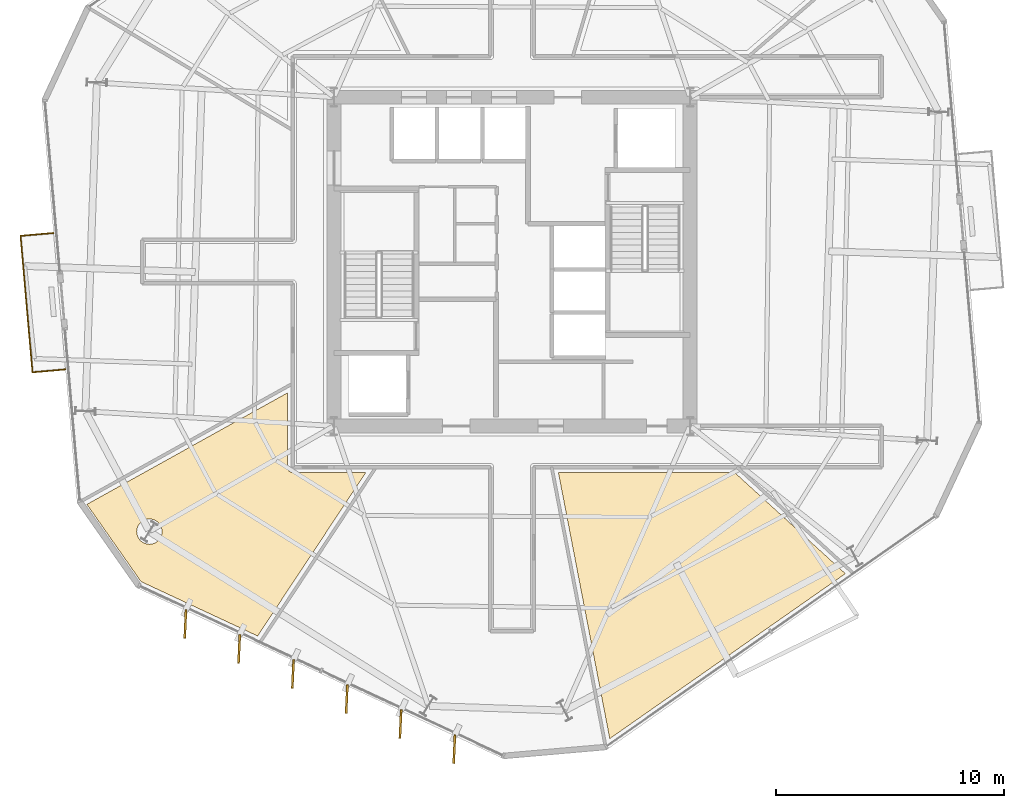
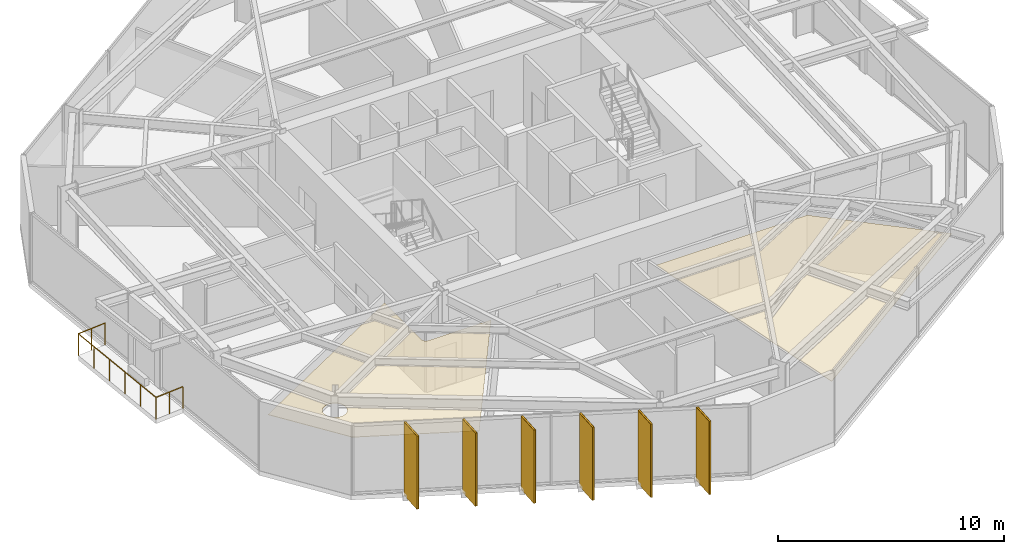
# One storey, part 9 of 13: 8 coverings, 6 shading devices, 1 railing.
"""IFC4 building model written with IfcOpenShell, lengths in metres."""

from ifc_helpers import new_model, si_unit, direction, frame, origin, origin_2d, place, context, subcontext, project, spatial, polyline, rectangle, circle, outline, extrude, material, layer, layer_set, type_object, element, save


model = new_model("IFC4")

# Units and contexts
model_context = context("Model", 3, precision=1e-05, world=origin(), true_north=direction((0.0, 1.0)))
body_context = subcontext(model_context, "Body", "Model", "MODEL_VIEW")
ifc_project = project(units=[si_unit("LENGTHUNIT", "METRE"), si_unit("AREAUNIT", "SQUARE_METRE"), si_unit("VOLUMEUNIT", "CUBIC_METRE"), si_unit("PLANEANGLEUNIT", "RADIAN"), si_unit("MASSUNIT", "GRAM", prefix="KILO")], contexts=[model_context])

# Site, building, storey
site_placement = place(None, origin())
site = spatial("IfcSite", under=ifc_project, at=site_placement, CompositionType="ELEMENT")
building_placement = place(site_placement, origin())
building = spatial("IfcBuilding", under=site, at=building_placement, Name="Kranzbogen Civic Tower", CompositionType="ELEMENT")
storey_placement = place(building_placement, frame((0.0, 0.0, 162.39990234375)))
storey = spatial("IfcBuildingStorey", under=building, at=storey_placement, Name="L39", CompositionType="ELEMENT", Elevation=162.39990234375)

# Coverings
ifc_material_1 = material(Name="Pale Anodised Aluminium", Category="aluminium")
ifc_layer_1 = layer(ifc_material_1, 0.02490234375, Name="Pale Anodised Aluminium")
ifc_layer_set_1 = layer_set([ifc_layer_1], Name="Pale Anodised Aluminium")
covering_type_1 = type_object("IfcCoveringType", Name="Anodised Aluminium Vertical Fin Cladding 25 mm", PredefinedType="CLADDING", material=ifc_layer_set_1)
for number, where, z_axis, x_axis, name in (
    (1, (10.69091796875, 9.132080078125, -0.139892578125), (0.0, 0.0, 1.0), (-0.046130129003, -0.998935438954, 0.0), "L39 vertical fin pale-metal cladding F4-1"),
    (2, (13.048095703125, 8.033935546875, -0.139892578125), (0.0, 0.0, 1.0), (-0.046130129003, -0.998935438954, 0.0), "L39 vertical fin pale-metal cladding F4-2"),
    (3, (15.404052734375, 6.93505859375, -0.139892578125), (0.0, 0.0, 1.0), (-0.046130129003, -0.998935438954, 0.0), "L39 vertical fin pale-metal cladding F4-3"),
    (4, (17.760986328125, 5.8359375, -0.139892578125), (0.0, 0.0, 1.0), (-0.046130129003, -0.998935438954, 0.0), "L39 vertical fin pale-metal cladding F4-4"),
    (5, (20.116943359375, 4.737060546875, -0.139892578125), (0.0, 0.0, 1.0), (-0.046130129003, -0.998935438954, 0.0), "L39 vertical fin pale-metal cladding F4-5"),
    (6, (22.472900390625, 3.637939453125, -0.139892578125), (0.0, 0.0, 1.0), (-0.046130129003, -0.998935438954, 0.0), "L39 vertical fin pale-metal cladding F4-6"),
):
    element("IfcCovering", number, at=place(storey_placement, frame(where, z_axis=z_axis, x_axis=x_axis)), inside=storey, type_object=covering_type_1, Name=name, PredefinedType="CLADDING", context=body_context, shape_type="SweptSolid", body=[
        extrude(rectangle(XDim=1.25, YDim=0.10009765625, at=origin_2d()), origin(), (0.0, 0.0, 1.0), 3.9599609375),
    ])

# Shading devices
ifc_material_2 = material(Name="Anodised Bronze Aluminium", Category="aluminium")
shading_device_type = type_object("IfcShadingDeviceType", Name="Anodised Bronze Vertical Facade Fin 1250x80", PredefinedType="USERDEFINED", material=ifc_material_2)
for number, where, z_axis, x_axis, name in (
    (7, (10.69091796875, 9.132080078125, -0.139892578125), (0.0, 0.0, 1.0), (-0.046130129003, -0.998935438954, 0.0), "L39 vertical exterior shading fin F4-1"),
    (8, (13.048095703125, 8.033935546875, -0.139892578125), (0.0, 0.0, 1.0), (-0.046130129003, -0.998935438954, 0.0), "L39 vertical exterior shading fin F4-2"),
    (9, (15.404052734375, 6.93505859375, -0.139892578125), (0.0, 0.0, 1.0), (-0.046130129003, -0.998935438954, 0.0), "L39 vertical exterior shading fin F4-3"),
    (10, (17.760986328125, 5.8359375, -0.139892578125), (0.0, 0.0, 1.0), (-0.046130129003, -0.998935438954, 0.0), "L39 vertical exterior shading fin F4-4"),
    (11, (20.116943359375, 4.737060546875, -0.139892578125), (0.0, 0.0, 1.0), (-0.046130129003, -0.998935438954, 0.0), "L39 vertical exterior shading fin F4-5"),
    (12, (22.472900390625, 3.637939453125, -0.139892578125), (0.0, 0.0, 1.0), (-0.046130129003, -0.998935438954, 0.0), "L39 vertical exterior shading fin F4-6"),
):
    element("IfcShadingDevice", number, at=place(storey_placement, frame(where, z_axis=z_axis, x_axis=x_axis)), inside=storey, type_object=shading_device_type, Name=name, ObjectType="FIN", PredefinedType="USERDEFINED", context=body_context, shape_type="SweptSolid", body=[
        extrude(rectangle(XDim=1.25, YDim=0.080078125, at=origin_2d()), origin(), (0.0, 0.0, 1.0), 3.9599609375),
    ])

# Railing
railing_type = type_object("IfcRailingType", Name="Cantilevered Balcony Glass and Bronze Balustrade 1200", PredefinedType="BALUSTRADE", material=ifc_material_2)
railing_placement = place(storey_placement, frame((4.9140625, 26.25390625, 0.0)))
element("IfcRailing", 13, at=railing_placement, inside=storey, type_object=railing_type, Name="L39 exterior terrace balustrade L39-TB2", PredefinedType="BALUSTRADE", context=body_context, shape_type="SweptSolid", body=[
    extrude(circle(Radius=0.02392578125, at=origin_2d()), frame((0.0, 0.0, 1.17578125), z_axis=(-0.996216534761, -0.08690578731, 0.0), x_axis=(0.08690578731, -0.996216534761, 0.0)), (0.0, 0.0, 1.0), 1.449462890625),
    extrude(circle(Radius=0.02392578125, at=origin_2d()), frame((-1.444091796875, -0.1259765625, 1.17578125), z_axis=(0.087159883478, -0.996194335816, 0.0), x_axis=(0.996194335816, 0.087159883478, 0.0)), (0.0, 0.0, 1.0), 6.0),
    extrude(circle(Radius=0.02392578125, at=origin_2d()), frame((-0.921142578125, -6.10302734375, 1.17578125), z_axis=(0.996201939478, 0.087072933679, 0.0), x_axis=(-0.087072933679, 0.996201939478, 0.0)), (0.0, 0.0, 1.0), 1.44970703125),
    extrude(circle(Radius=0.02099609375, at=origin_2d()), origin(), (0.0, 0.0, 1.0), 1.15185546875),
    extrude(circle(Radius=0.02099609375, at=origin_2d()), frame((-0.72216796875, -0.06298828125, 0.0)), (0.0, 0.0, 1.0), 1.15185546875),
    extrude(circle(Radius=0.02099609375, at=origin_2d()), frame((-1.444091796875, -0.1259765625, 0.0)), (0.0, 0.0, 1.0), 1.15185546875),
    extrude(circle(Radius=0.02099609375, at=origin_2d()), frame((-1.339599609375, -1.3212890625, 0.0)), (0.0, 0.0, 1.0), 1.15185546875),
    extrude(circle(Radius=0.02099609375, at=origin_2d()), frame((-1.23486328125, -2.516845703125, 0.0)), (0.0, 0.0, 1.0), 1.15185546875),
    extrude(circle(Radius=0.02099609375, at=origin_2d()), frame((-1.13037109375, -3.712158203125, 0.0)), (0.0, 0.0, 1.0), 1.15185546875),
    extrude(circle(Radius=0.02099609375, at=origin_2d()), frame((-1.025634765625, -4.90771484375, 0.0)), (0.0, 0.0, 1.0), 1.15185546875),
    extrude(circle(Radius=0.02099609375, at=origin_2d()), frame((-0.921142578125, -6.10302734375, 0.0)), (0.0, 0.0, 1.0), 1.15185546875),
    extrude(circle(Radius=0.02099609375, at=origin_2d()), frame((-0.19921875, -6.0400390625, 0.0)), (0.0, 0.0, 1.0), 1.15185546875),
    extrude(circle(Radius=0.02099609375, at=origin_2d()), frame((0.52294921875, -5.976806640625, 0.0)), (0.0, 0.0, 1.0), 1.15185546875),
])

# Coverings
ifc_material_3 = material(Name="Perforated Acoustic Gypsum Ceiling")
ifc_layer_2 = layer(ifc_material_3, 0.02490234375, Name="Perforated Acoustic Gypsum Ceiling")
ifc_layer_set_2 = layer_set([ifc_layer_2], Name="Perforated Acoustic Gypsum Ceiling")
covering_type_2 = type_object("IfcCoveringType", Name="Perforated Acoustic Mineral Ceiling Tile 25 mm", PredefinedType="CEILING", material=ifc_layer_set_2)
covering_1_placement = place(storey_placement, frame((0.0, 0.0, 2.900146484375)))
element("IfcCovering", 14, at=covering_1_placement, inside=storey, type_object=covering_type_2, Name="L39 Executive Briefing Conference Room acoustic ceiling", PredefinedType="CEILING", context=body_context, shape_type="SweptSolid", body=[
    extrude(outline(polyline([(6.3779296875, 14.364990234375), (15.155029296875, 19.2451171875), (15.155029296875, 16.0), (15.155029296875, 15.990966796875), (15.156005859375, 15.985107421875), (15.156982421875, 15.967041015625), (15.157958984375, 15.9609375), (15.162109375, 15.944091796875), (15.1630859375, 15.93701171875), (15.16796875, 15.919921875), (15.169921875, 15.9140625), (15.177001953125, 15.89794921875), (15.179931640625, 15.89208984375), (15.18798828125, 15.876953125), (15.19189453125, 15.87109375), (15.200927734375, 15.85693359375), (15.205078125, 15.85205078125), (15.216064453125, 15.837890625), (15.220947265625, 15.8330078125), (15.23291015625, 15.821044921875), (15.238037109375, 15.81591796875), (15.251953125, 15.804931640625), (15.257080078125, 15.801025390625), (15.27099609375, 15.7919921875), (15.277099609375, 15.7880859375), (15.2919921875, 15.780029296875), (15.298095703125, 15.777099609375), (15.31396484375, 15.77001953125), (15.320068359375, 15.76806640625), (15.3369140625, 15.762939453125), (15.343994140625, 15.761962890625), (15.361083984375, 15.758056640625), (15.366943359375, 15.757080078125), (15.385009765625, 15.756103515625), (15.39111328125, 15.7548828125), (15.39990234375, 15.7548828125), (18.590087890625, 15.7548828125), (13.85498046875, 8.597900390625), (8.748046875, 10.97998046875), (6.3779296875, 14.364990234375)]), holes=[polyline([(9.6259765625, 12.958984375), (9.60302734375, 12.909912109375), (9.574951171875, 12.863037109375), (9.54296875, 12.819091796875), (9.506103515625, 12.779052734375), (9.466064453125, 12.741943359375), (9.422119140625, 12.7099609375), (9.375, 12.681884765625), (9.325927734375, 12.658935546875), (9.27490234375, 12.64111328125), (9.221923828125, 12.626953125), (9.16796875, 12.618896484375), (9.114013671875, 12.616943359375), (9.06005859375, 12.618896484375), (9.006103515625, 12.626953125), (8.952880859375, 12.64111328125), (8.902099609375, 12.658935546875), (8.85302734375, 12.681884765625), (8.805908203125, 12.7099609375), (8.761962890625, 12.741943359375), (8.721923828125, 12.779052734375), (8.68505859375, 12.819091796875), (8.653076171875, 12.863037109375), (8.625, 12.909912109375), (8.60205078125, 12.958984375), (8.583984375, 13.010009765625), (8.570068359375, 13.06298828125), (8.56201171875, 13.116943359375), (8.56005859375, 13.1708984375), (8.56201171875, 13.22509765625), (8.570068359375, 13.279052734375), (8.583984375, 13.33203125), (8.60205078125, 13.383056640625), (8.625, 13.431884765625), (8.653076171875, 13.47900390625), (8.68505859375, 13.52294921875), (8.721923828125, 13.56298828125), (8.761962890625, 13.60009765625), (8.805908203125, 13.632080078125), (8.85302734375, 13.659912109375), (8.902099609375, 13.68310546875), (8.952880859375, 13.700927734375), (9.006103515625, 13.715087890625), (9.06005859375, 13.722900390625), (9.114013671875, 13.72509765625), (9.16796875, 13.722900390625), (9.221923828125, 13.715087890625), (9.27490234375, 13.700927734375), (9.325927734375, 13.68310546875), (9.375, 13.659912109375), (9.422119140625, 13.632080078125), (9.466064453125, 13.60009765625), (9.506103515625, 13.56298828125), (9.54296875, 13.52294921875), (9.574951171875, 13.47900390625), (9.60302734375, 13.431884765625), (9.6259765625, 13.383056640625), (9.64404296875, 13.33203125), (9.657958984375, 13.279052734375), (9.666015625, 13.22509765625), (9.66796875, 13.1708984375), (9.666015625, 13.116943359375), (9.657958984375, 13.06298828125), (9.64404296875, 13.010009765625), (9.6259765625, 12.958984375)])]), origin(), (0.0, 0.0, 1.0), 0.02490234375),
])
covering_2_placement = place(storey_placement, frame((0.0, 0.0, 2.900146484375)))
element("IfcCovering", 15, at=covering_2_placement, inside=storey, type_object=covering_type_2, Name="L39 Policy Seminar Room acoustic ceiling", PredefinedType="CEILING", context=body_context, shape_type="SweptSolid", body=[
    extrude(outline(polyline([(27.033935546875, 15.7548828125), (34.759033203125, 15.7548828125), (39.60400390625, 11.330078125), (29.282958984375, 4.10205078125), (27.033935546875, 15.7548828125)])), origin(), (0.0, 0.0, 1.0), 0.02490234375),
])

save(model, "model.ifc")
